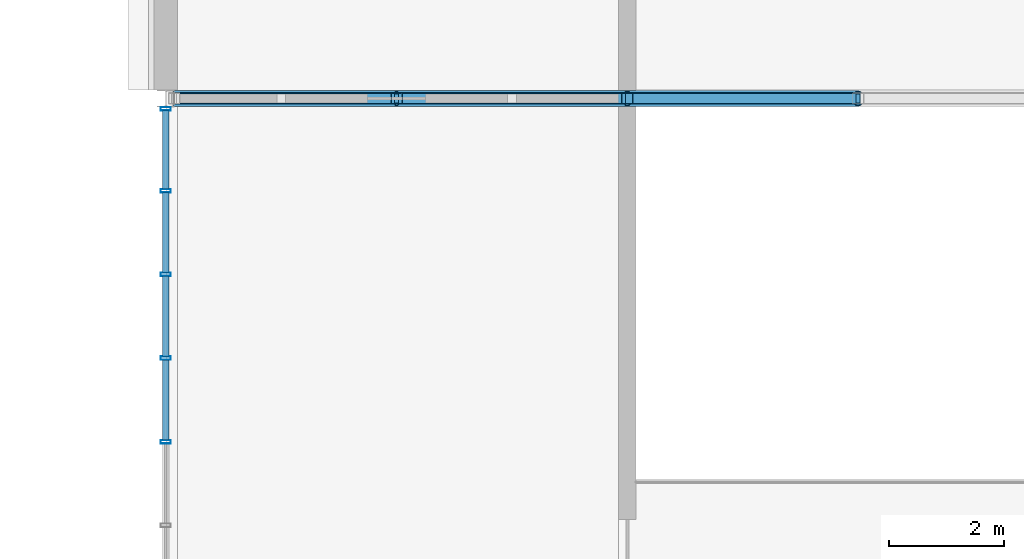
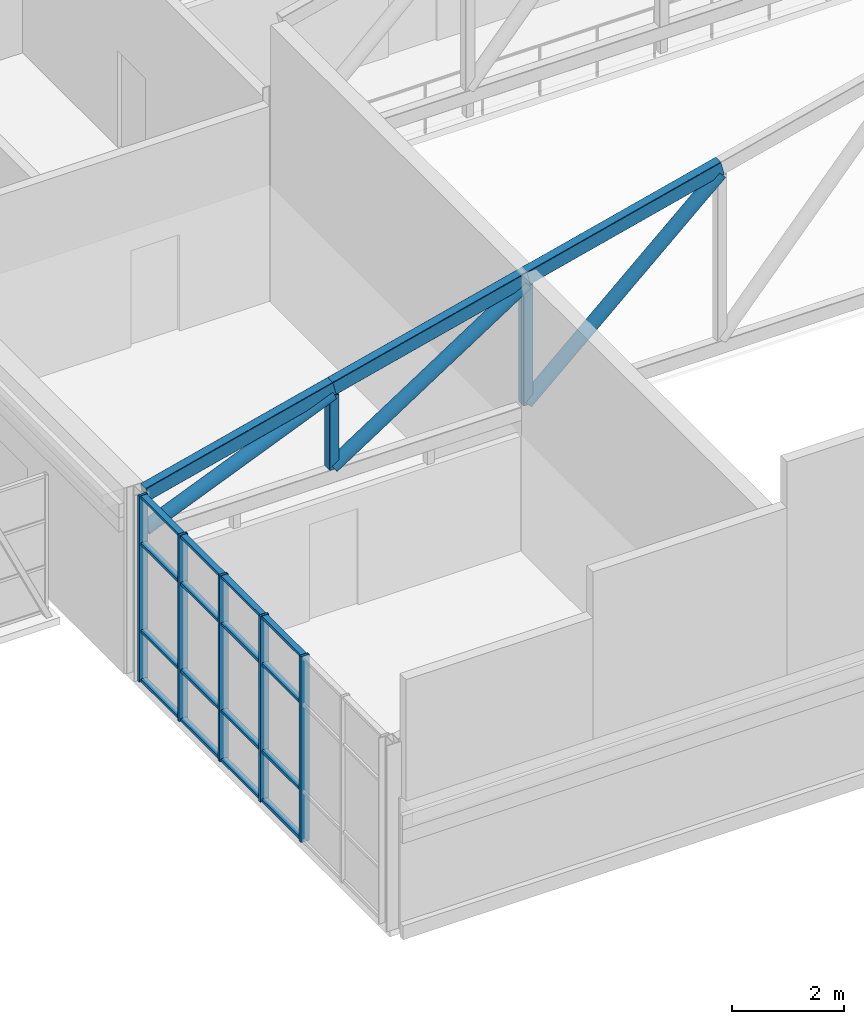
# One storey, part 69 of 149: 29 members, 1 element without a shape of its own.
"""IFC4 building model written with IfcOpenShell, lengths in metres."""

from ifc_helpers import new_model, si_unit, direction, frame, origin, origin_2d, place, context, subcontext, project, spatial, hollow_rectangle, hollow_circle, extrude, material, material_profile, profile_set, type_object, element, aggregate, save


model = new_model("IFC4")

# Units and contexts
model_context = context("Model", 3, precision=1e-05, world=origin(), true_north=direction((0.0, 1.0)))
body_context = subcontext(model_context, "Body", "Model", "MODEL_VIEW")
ifc_project = project(units=[si_unit("LENGTHUNIT", "METRE"), si_unit("AREAUNIT", "SQUARE_METRE"), si_unit("VOLUMEUNIT", "CUBIC_METRE"), si_unit("PLANEANGLEUNIT", "RADIAN"), si_unit("MASSUNIT", "GRAM", prefix="KILO")], contexts=[model_context])

# Site, building, storey
site_placement = place(None, origin())
site = spatial("IfcSite", under=ifc_project, at=site_placement, CompositionType="ELEMENT")
building_placement = place(site_placement, origin())
building = spatial("IfcBuilding", under=site, at=building_placement, Name="Kallimachos Central Library", CompositionType="ELEMENT")
storey_placement = place(building_placement, frame((0.0, 0.0, 9.89990234375)))
storey = spatial("IfcBuildingStorey", under=building, at=storey_placement, Name="L02", CompositionType="ELEMENT", Elevation=9.89990234375)

# Curtain wall, members
ifc_material_1 = material(Name="Laminated glass in anodised aluminium", Category="aluminium")
curtain_wall_type = type_object("IfcCurtainWallType", Name="Foyer curtain wall", PredefinedType="NOTDEFINED", material=ifc_material_1)
curtain_wall_placement = place(storey_placement, origin())
curtain_wall = element("IfcCurtainWall", 1, at=curtain_wall_placement, inside=storey, type_object=curtain_wall_type, Name="V3-CWL-L02-001", PredefinedType="NOTDEFINED")
ifc_material_2 = material(Name="Anodised aluminium", Category="aluminium")
ifc_material_profile_1 = material_profile(ifc_material_2, hollow_rectangle(XDim=0.06005859375, YDim=0.179931640625, WallThickness=0.00390625, at=origin_2d()), Name="ALU MULLION 60x180")
ifc_profile_set_1 = profile_set([ifc_material_profile_1], Name="Anodised aluminium")
member_type_1 = type_object("IfcMemberType", Name="ALU MULLION 60x180 mullion", PredefinedType="MULLION", material=ifc_profile_set_1)
member_1_placement = place(storey_placement, frame((138.0, 90.050048828125, 0.0), z_axis=(0.0, 0.0, 1.0), x_axis=(0.0, 1.0, 0.0)))
member_1 = element("IfcMember", 2, at=member_1_placement, type_object=member_type_1, Name="CW mullion 3", PredefinedType="MULLION", context=body_context, shape_type="SweptSolid", body=[
    extrude(hollow_rectangle(XDim=0.06005859375, YDim=0.179931640625, WallThickness=0.00390625, at=origin_2d()), origin(), (0.0, 0.0, 1.0), 4.050048828125),
])
member_2_placement = place(storey_placement, frame((138.0, 91.5, 0.0), z_axis=(0.0, 0.0, 1.0), x_axis=(0.0, 1.0, 0.0)))
member_2 = element("IfcMember", 3, at=member_2_placement, type_object=member_type_1, Name="CW mullion 4", PredefinedType="MULLION", context=body_context, shape_type="SweptSolid", body=[
    extrude(hollow_rectangle(XDim=0.06005859375, YDim=0.179931640625, WallThickness=0.00390625, at=origin_2d()), origin(), (0.0, 0.0, 1.0), 4.050048828125),
])
member_3_placement = place(storey_placement, frame((138.0, 92.949951171875, 0.0), z_axis=(0.0, 0.0, 1.0), x_axis=(0.0, 1.0, 0.0)))
member_3 = element("IfcMember", 4, at=member_3_placement, type_object=member_type_1, Name="CW mullion 5", PredefinedType="MULLION", context=body_context, shape_type="SweptSolid", body=[
    extrude(hollow_rectangle(XDim=0.06005859375, YDim=0.179931640625, WallThickness=0.00390625, at=origin_2d()), origin(), (0.0, 0.0, 1.0), 4.050048828125),
])
member_4_placement = place(storey_placement, frame((138.0, 94.39990234375, 0.0), z_axis=(0.0, 0.0, 1.0), x_axis=(0.0, 1.0, 0.0)))
member_4 = element("IfcMember", 5, at=member_4_placement, type_object=member_type_1, Name="CW mullion 6", PredefinedType="MULLION", context=body_context, shape_type="SweptSolid", body=[
    extrude(hollow_rectangle(XDim=0.06005859375, YDim=0.179931640625, WallThickness=0.00390625, at=origin_2d()), origin(), (0.0, 0.0, 1.0), 4.050048828125),
])
member_5_placement = place(storey_placement, frame((138.0, 95.820068359375, 0.0), z_axis=(0.0, 0.0, 1.0), x_axis=(0.0, 1.0, 0.0)))
member_5 = element("IfcMember", 6, at=member_5_placement, type_object=member_type_1, Name="CW mullion 7", PredefinedType="MULLION", context=body_context, shape_type="SweptSolid", body=[
    extrude(hollow_rectangle(XDim=0.06005859375, YDim=0.179931640625, WallThickness=0.00390625, at=origin_2d()), origin(), (0.0, 0.0, 1.0), 4.050048828125),
])
ifc_material_3 = material(Name="Anodised aluminium", Category="aluminium")
ifc_material_profile_2 = material_profile(ifc_material_3, hollow_rectangle(XDim=0.06005859375, YDim=0.1201171875, WallThickness=0.00390625, at=origin_2d()), Name="ALU TRANSOM 60x120")
ifc_profile_set_2 = profile_set([ifc_material_profile_2], Name="Anodised aluminium")
member_type_2 = type_object("IfcMemberType", Name="ALU TRANSOM 60x120 transom", PredefinedType="USERDEFINED", material=ifc_profile_set_2)
member_6_placement = place(storey_placement, frame((138.0, 90.080078125, 0.030029296875), z_axis=(0.0, 1.0, 0.0), x_axis=(0.0, 0.0, 1.0)))
member_6 = element("IfcMember", 7, at=member_6_placement, type_object=member_type_2, Name="CW transom 3.1", ObjectType="TRANSOM", PredefinedType="USERDEFINED", context=body_context, shape_type="SweptSolid", body=[
    extrude(hollow_rectangle(XDim=0.06005859375, YDim=0.1201171875, WallThickness=0.00390625, at=origin_2d()), origin(), (0.0, 0.0, 1.0), 1.389892578125),
])
member_7_placement = place(storey_placement, frame((138.0, 90.080078125, 1.10009765625), z_axis=(0.0, 1.0, 0.0), x_axis=(0.0, 0.0, 1.0)))
member_7 = element("IfcMember", 8, at=member_7_placement, type_object=member_type_2, Name="CW transom 3.2", ObjectType="TRANSOM", PredefinedType="USERDEFINED", context=body_context, shape_type="SweptSolid", body=[
    extrude(hollow_rectangle(XDim=0.06005859375, YDim=0.1201171875, WallThickness=0.00390625, at=origin_2d()), origin(), (0.0, 0.0, 1.0), 1.389892578125),
])
member_8_placement = place(storey_placement, frame((138.0, 90.080078125, 3.0), z_axis=(0.0, 1.0, 0.0), x_axis=(0.0, 0.0, 1.0)))
member_8 = element("IfcMember", 9, at=member_8_placement, type_object=member_type_2, Name="CW transom 3.3", ObjectType="TRANSOM", PredefinedType="USERDEFINED", context=body_context, shape_type="SweptSolid", body=[
    extrude(hollow_rectangle(XDim=0.06005859375, YDim=0.1201171875, WallThickness=0.00390625, at=origin_2d()), origin(), (0.0, 0.0, 1.0), 1.389892578125),
])
member_9_placement = place(storey_placement, frame((138.0, 90.080078125, 4.02001953125), z_axis=(0.0, 1.0, 0.0), x_axis=(0.0, 0.0, 1.0)))
member_9 = element("IfcMember", 10, at=member_9_placement, type_object=member_type_2, Name="CW transom 3.4", ObjectType="TRANSOM", PredefinedType="USERDEFINED", context=body_context, shape_type="SweptSolid", body=[
    extrude(hollow_rectangle(XDim=0.06005859375, YDim=0.1201171875, WallThickness=0.00390625, at=origin_2d()), origin(), (0.0, 0.0, 1.0), 1.389892578125),
])
member_10_placement = place(storey_placement, frame((138.0, 91.530029296875, 0.030029296875), z_axis=(0.0, 1.0, 0.0), x_axis=(0.0, 0.0, 1.0)))
member_10 = element("IfcMember", 11, at=member_10_placement, type_object=member_type_2, Name="CW transom 4.1", ObjectType="TRANSOM", PredefinedType="USERDEFINED", context=body_context, shape_type="SweptSolid", body=[
    extrude(hollow_rectangle(XDim=0.06005859375, YDim=0.1201171875, WallThickness=0.00390625, at=origin_2d()), origin(), (0.0, 0.0, 1.0), 1.389892578125),
])
member_11_placement = place(storey_placement, frame((138.0, 91.530029296875, 1.10009765625), z_axis=(0.0, 1.0, 0.0), x_axis=(0.0, 0.0, 1.0)))
member_11 = element("IfcMember", 12, at=member_11_placement, type_object=member_type_2, Name="CW transom 4.2", ObjectType="TRANSOM", PredefinedType="USERDEFINED", context=body_context, shape_type="SweptSolid", body=[
    extrude(hollow_rectangle(XDim=0.06005859375, YDim=0.1201171875, WallThickness=0.00390625, at=origin_2d()), origin(), (0.0, 0.0, 1.0), 1.389892578125),
])
member_12_placement = place(storey_placement, frame((138.0, 91.530029296875, 3.0), z_axis=(0.0, 1.0, 0.0), x_axis=(0.0, 0.0, 1.0)))
member_12 = element("IfcMember", 13, at=member_12_placement, type_object=member_type_2, Name="CW transom 4.3", ObjectType="TRANSOM", PredefinedType="USERDEFINED", context=body_context, shape_type="SweptSolid", body=[
    extrude(hollow_rectangle(XDim=0.06005859375, YDim=0.1201171875, WallThickness=0.00390625, at=origin_2d()), origin(), (0.0, 0.0, 1.0), 1.389892578125),
])
member_13_placement = place(storey_placement, frame((138.0, 91.530029296875, 4.02001953125), z_axis=(0.0, 1.0, 0.0), x_axis=(0.0, 0.0, 1.0)))
member_13 = element("IfcMember", 14, at=member_13_placement, type_object=member_type_2, Name="CW transom 4.4", ObjectType="TRANSOM", PredefinedType="USERDEFINED", context=body_context, shape_type="SweptSolid", body=[
    extrude(hollow_rectangle(XDim=0.06005859375, YDim=0.1201171875, WallThickness=0.00390625, at=origin_2d()), origin(), (0.0, 0.0, 1.0), 1.389892578125),
])
member_14_placement = place(storey_placement, frame((138.0, 92.97998046875, 0.030029296875), z_axis=(0.0, 1.0, 0.0), x_axis=(0.0, 0.0, 1.0)))
member_14 = element("IfcMember", 15, at=member_14_placement, type_object=member_type_2, Name="CW transom 5.1", ObjectType="TRANSOM", PredefinedType="USERDEFINED", context=body_context, shape_type="SweptSolid", body=[
    extrude(hollow_rectangle(XDim=0.06005859375, YDim=0.1201171875, WallThickness=0.00390625, at=origin_2d()), origin(), (0.0, 0.0, 1.0), 1.39013671875),
])
member_15_placement = place(storey_placement, frame((138.0, 92.97998046875, 1.10009765625), z_axis=(0.0, 1.0, 0.0), x_axis=(0.0, 0.0, 1.0)))
member_15 = element("IfcMember", 16, at=member_15_placement, type_object=member_type_2, Name="CW transom 5.2", ObjectType="TRANSOM", PredefinedType="USERDEFINED", context=body_context, shape_type="SweptSolid", body=[
    extrude(hollow_rectangle(XDim=0.06005859375, YDim=0.1201171875, WallThickness=0.00390625, at=origin_2d()), origin(), (0.0, 0.0, 1.0), 1.39013671875),
])
member_16_placement = place(storey_placement, frame((138.0, 92.97998046875, 3.0), z_axis=(0.0, 1.0, 0.0), x_axis=(0.0, 0.0, 1.0)))
member_16 = element("IfcMember", 17, at=member_16_placement, type_object=member_type_2, Name="CW transom 5.3", ObjectType="TRANSOM", PredefinedType="USERDEFINED", context=body_context, shape_type="SweptSolid", body=[
    extrude(hollow_rectangle(XDim=0.06005859375, YDim=0.1201171875, WallThickness=0.00390625, at=origin_2d()), origin(), (0.0, 0.0, 1.0), 1.39013671875),
])
member_17_placement = place(storey_placement, frame((138.0, 92.97998046875, 4.02001953125), z_axis=(0.0, 1.0, 0.0), x_axis=(0.0, 0.0, 1.0)))
member_17 = element("IfcMember", 18, at=member_17_placement, type_object=member_type_2, Name="CW transom 5.4", ObjectType="TRANSOM", PredefinedType="USERDEFINED", context=body_context, shape_type="SweptSolid", body=[
    extrude(hollow_rectangle(XDim=0.06005859375, YDim=0.1201171875, WallThickness=0.00390625, at=origin_2d()), origin(), (0.0, 0.0, 1.0), 1.39013671875),
])
member_18_placement = place(storey_placement, frame((138.0, 94.429931640625, 0.030029296875), z_axis=(0.0, 1.0, 0.0), x_axis=(0.0, 0.0, 1.0)))
member_18 = element("IfcMember", 19, at=member_18_placement, type_object=member_type_2, Name="CW transom 6.1", ObjectType="TRANSOM", PredefinedType="USERDEFINED", context=body_context, shape_type="SweptSolid", body=[
    extrude(hollow_rectangle(XDim=0.06005859375, YDim=0.1201171875, WallThickness=0.00390625, at=origin_2d()), origin(), (0.0, 0.0, 1.0), 1.360107421875),
])
member_19_placement = place(storey_placement, frame((138.0, 94.429931640625, 1.10009765625), z_axis=(0.0, 1.0, 0.0), x_axis=(0.0, 0.0, 1.0)))
member_19 = element("IfcMember", 20, at=member_19_placement, type_object=member_type_2, Name="CW transom 6.2", ObjectType="TRANSOM", PredefinedType="USERDEFINED", context=body_context, shape_type="SweptSolid", body=[
    extrude(hollow_rectangle(XDim=0.06005859375, YDim=0.1201171875, WallThickness=0.00390625, at=origin_2d()), origin(), (0.0, 0.0, 1.0), 1.360107421875),
])
member_20_placement = place(storey_placement, frame((138.0, 94.429931640625, 3.0), z_axis=(0.0, 1.0, 0.0), x_axis=(0.0, 0.0, 1.0)))
member_20 = element("IfcMember", 21, at=member_20_placement, type_object=member_type_2, Name="CW transom 6.3", ObjectType="TRANSOM", PredefinedType="USERDEFINED", context=body_context, shape_type="SweptSolid", body=[
    extrude(hollow_rectangle(XDim=0.06005859375, YDim=0.1201171875, WallThickness=0.00390625, at=origin_2d()), origin(), (0.0, 0.0, 1.0), 1.360107421875),
])
member_21_placement = place(storey_placement, frame((138.0, 94.429931640625, 4.02001953125), z_axis=(0.0, 1.0, 0.0), x_axis=(0.0, 0.0, 1.0)))
member_21 = element("IfcMember", 22, at=member_21_placement, type_object=member_type_2, Name="CW transom 6.4", ObjectType="TRANSOM", PredefinedType="USERDEFINED", context=body_context, shape_type="SweptSolid", body=[
    extrude(hollow_rectangle(XDim=0.06005859375, YDim=0.1201171875, WallThickness=0.00390625, at=origin_2d()), origin(), (0.0, 0.0, 1.0), 1.360107421875),
])
aggregate(curtain_wall, [member_1, member_2, member_3, member_4, member_5, member_6, member_7, member_8, member_9, member_10, member_11, member_12, member_13, member_14, member_15, member_16, member_17, member_18, member_19, member_20, member_21])

# Members
ifc_material_4 = material(Name="Steel S355J2H", Category="steel")
ifc_material_profile_3 = material_profile(ifc_material_4, hollow_circle(Radius=0.136474609375, WallThickness=0.012451171875, at=origin_2d()), Name="CHS 273x12.5")
ifc_profile_set_3 = profile_set([ifc_material_profile_3], Name="Steel S355J2H")
member_type_3 = type_object("IfcMemberType", Name="CHS 273x12.5 truss brace", PredefinedType="BRACE", material=ifc_profile_set_3)
member_22_placement = place(storey_placement, frame((138.14990234375, 96.0, 3.150146484375), z_axis=(0.923447241071, 0.0, 0.38372541349), x_axis=(0.0, 1.0, 0.0)))
element("IfcMember", 23, at=member_22_placement, inside=storey, type_object=member_type_3, Name="Truss T2 brace 1", PredefinedType="BRACE", context=body_context, shape_type="SweptSolid", body=[
    extrude(hollow_circle(Radius=0.136474609375, WallThickness=0.012451171875, at=origin_2d()), origin(), (0.0, 0.0, 1.0), 4.169189453125),
])
member_23_placement = place(storey_placement, frame((142.0, 96.0, 3.150146484375), z_axis=(0.838457646535, 0.0, 0.544966765012), x_axis=(0.0, 1.0, 0.0)))
element("IfcMember", 24, at=member_23_placement, inside=storey, type_object=member_type_3, Name="Truss T2 brace 2", PredefinedType="BRACE", context=body_context, shape_type="SweptSolid", body=[
    extrude(hollow_circle(Radius=0.136474609375, WallThickness=0.012451171875, at=origin_2d()), origin(), (0.0, 0.0, 1.0), 4.770751953125),
])
member_24_placement = place(storey_placement, frame((146.0, 96.0, 3.150146484375), z_axis=(0.74330768127, 0.0, 0.668949692402), x_axis=(0.0, 1.0, 0.0)))
element("IfcMember", 25, at=member_24_placement, inside=storey, type_object=member_type_3, Name="Truss T2 brace 3", PredefinedType="BRACE", context=body_context, shape_type="SweptSolid", body=[
    extrude(hollow_circle(Radius=0.136474609375, WallThickness=0.012451171875, at=origin_2d()), origin(), (0.0, 0.0, 1.0), 5.38134765625),
])
ifc_material_5 = material(Name="Steel S355J2H", Category="steel")
ifc_material_profile_4 = material_profile(ifc_material_5, hollow_rectangle(XDim=0.199951171875, YDim=0.300048828125, WallThickness=0.012451171875, InnerFilletRadius=0.012451171875, OuterFilletRadius=0.018798828125, at=origin_2d()), Name="RHS 300x200x12.5")
ifc_profile_set_4 = profile_set([ifc_material_profile_4], Name="Steel S355J2H")
member_type_4 = type_object("IfcMemberType", Name="RHS 300x200x12.5 truss chord", PredefinedType="CHORD", material=ifc_profile_set_4)
member_25_placement = place(storey_placement, frame((138.14990234375, 96.0, 3.9375), z_axis=(0.970135262328, 0.0, 0.242564574468), x_axis=(0.0, 1.0, 0.0)))
element("IfcMember", 26, at=member_25_placement, inside=storey, type_object=member_type_4, Name="Truss T2 top chord 1", PredefinedType="CHORD", context=body_context, shape_type="SweptSolid", body=[
    extrude(hollow_rectangle(XDim=0.199951171875, YDim=0.300048828125, WallThickness=0.012451171875, InnerFilletRadius=0.012451171875, OuterFilletRadius=0.018798828125, at=origin_2d()), origin(), (0.0, 0.0, 1.0), 3.968505859375),
])
for number, where, z_axis, x_axis, name in (
    (27, (142.0, 96.0, 4.900146484375), (0.970142500145, 0.0, 0.242535625036), (0.0, 1.0, 0.0), "Truss T2 top chord 2"),
    (28, (146.0, 96.0, 5.900146484375), (0.970142500145, 0.0, 0.242535625036), (0.0, 1.0, 0.0), "Truss T2 top chord 3"),
):
    element("IfcMember", number, at=place(storey_placement, frame(where, z_axis=z_axis, x_axis=x_axis)), inside=storey, type_object=member_type_4, Name=name, PredefinedType="CHORD", context=body_context, shape_type="SweptSolid", body=[
        extrude(hollow_rectangle(XDim=0.199951171875, YDim=0.300048828125, WallThickness=0.012451171875, InnerFilletRadius=0.012451171875, OuterFilletRadius=0.018798828125, at=origin_2d()), origin(), (0.0, 0.0, 1.0), 4.123046875),
    ])
ifc_material_6 = material(Name="Steel S355J2H", Category="steel")
ifc_material_profile_5 = material_profile(ifc_material_6, hollow_rectangle(XDim=0.199951171875, YDim=0.199951171875, WallThickness=0.010009765625, InnerFilletRadius=0.010009765625, OuterFilletRadius=0.014892578125, at=origin_2d()), Name="SHS 200x200x10")
ifc_profile_set_5 = profile_set([ifc_material_profile_5], Name="Steel S355J2H")
member_type_5 = type_object("IfcMemberType", Name="SHS 200x200x10 truss post", PredefinedType="POST", material=ifc_profile_set_5)
member_26_placement = place(storey_placement, frame((142.0, 96.0, 3.150146484375), z_axis=(0.0, 0.0, 1.0), x_axis=(1.0, 0.0, 0.0)))
element("IfcMember", 29, at=member_26_placement, inside=storey, type_object=member_type_5, Name="Truss T2 post 2", PredefinedType="POST", context=body_context, shape_type="SweptSolid", body=[
    extrude(hollow_rectangle(XDim=0.199951171875, YDim=0.199951171875, WallThickness=0.010009765625, InnerFilletRadius=0.010009765625, OuterFilletRadius=0.014892578125, at=origin_2d()), origin(), (0.0, 0.0, 1.0), 1.599853515625),
])
member_27_placement = place(storey_placement, frame((146.0, 96.0, 3.150146484375), z_axis=(0.0, 0.0, 1.0), x_axis=(1.0, 0.0, 0.0)))
element("IfcMember", 30, at=member_27_placement, inside=storey, type_object=member_type_5, Name="Truss T2 post 3", PredefinedType="POST", context=body_context, shape_type="SweptSolid", body=[
    extrude(hollow_rectangle(XDim=0.199951171875, YDim=0.199951171875, WallThickness=0.010009765625, InnerFilletRadius=0.010009765625, OuterFilletRadius=0.014892578125, at=origin_2d()), origin(), (0.0, 0.0, 1.0), 2.599853515625),
])

save(model, "model.ifc")
